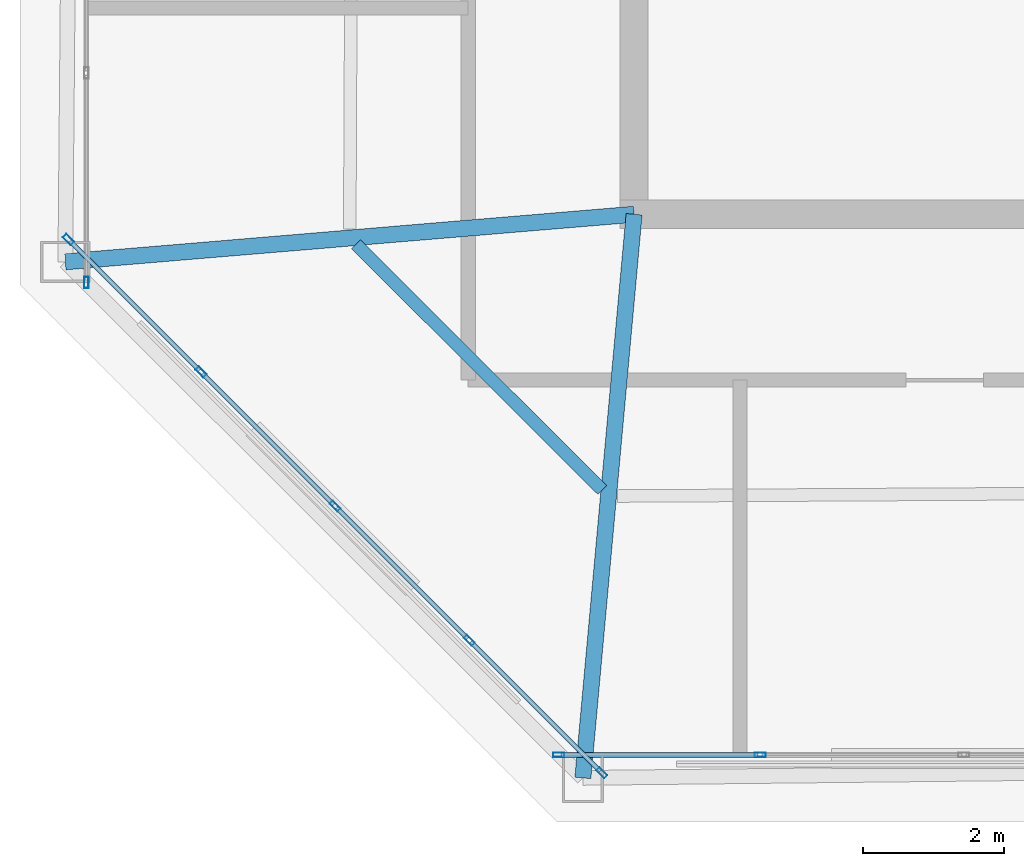
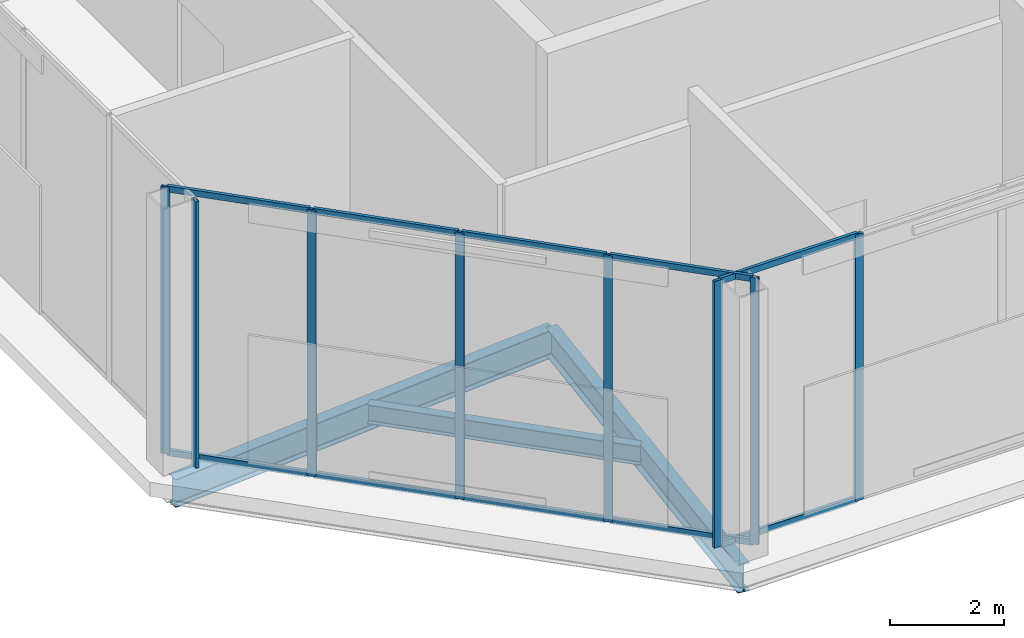
# One storey, part 2 of 20: 18 members, 3 beams, 3 elements without a shape of their own.
"""IFC4 building model written with IfcOpenShell, lengths in metres."""

from ifc_helpers import new_model, si_unit, direction, frame, origin, origin_2d, place, context, subcontext, project, spatial, hollow_rectangle, i_section, extrude, material, layer, layer_set, material_profile, profile_set, type_object, element, aggregate, save


model = new_model("IFC4")

# Units and contexts
model_context = context("Model", 3, precision=1e-05, world=origin(), true_north=direction((0.0, 1.0)))
body_context = subcontext(model_context, "Body", "Model", "MODEL_VIEW")
ifc_project = project(units=[si_unit("LENGTHUNIT", "METRE"), si_unit("AREAUNIT", "SQUARE_METRE"), si_unit("VOLUMEUNIT", "CUBIC_METRE"), si_unit("PLANEANGLEUNIT", "RADIAN"), si_unit("MASSUNIT", "GRAM", prefix="KILO")], contexts=[model_context])

# Site, building, storey
site_placement = place(None, origin())
site = spatial("IfcSite", under=ifc_project, at=site_placement, CompositionType="ELEMENT")
building_placement = place(site_placement, origin())
building = spatial("IfcBuilding", under=site, at=building_placement, Name="Caelvoria Tower", CompositionType="ELEMENT")
storey_placement = place(building_placement, frame((0.0, 0.0, 284.199951171875)))
storey = spatial("IfcBuildingStorey", under=building, at=storey_placement, Name="C1", CompositionType="ELEMENT", Elevation=284.199951171875)

# Curtain wall, members
ifc_material_1 = material(Name="Anodised Bronze Aluminium and Low-E Glass", Category="aluminium")
ifc_layer = layer(ifc_material_1, 0.179931640625, Name="Anodised Bronze Aluminium and Low-E Glass")
ifc_layer_set = layer_set([ifc_layer], Name="CW System 6 Slanted Crown Bronze Screen Facade - Anodised Bronze Aluminium and Low-E Glass")
curtain_wall_type = type_object("IfcCurtainWallType", Name="CW System 6 Slanted Crown Bronze Screen Facade", PredefinedType="NOTDEFINED", material=ifc_layer_set)
curtain_wall_1_placement = place(storey_placement, origin())
curtain_wall_1 = element("IfcCurtainWall", 1, at=curtain_wall_1_placement, inside=storey, type_object=curtain_wall_type, Name="CW-06 Curtain Wall C1-E0", PredefinedType="NOTDEFINED")
ifc_material_2 = material(Name="Anodised Bronze Architectural Aluminium", Category="aluminium")
ifc_material_profile_1 = material_profile(ifc_material_2, hollow_rectangle(XDim=0.06494140625, YDim=0.159912109375, WallThickness=0.00390625, at=origin_2d()), Name="Anodised Bronze Architectural Aluminium")
ifc_profile_set_1 = profile_set([ifc_material_profile_1], Name="CW_MULL_65X160 - Anodised Bronze Architectural Aluminium")
member_type_1 = type_object("IfcMemberType", Name="Curtain Wall Mullion 65x160 Bronze Aluminium", PredefinedType="MULLION", material=ifc_profile_set_1)
member_1_placement = place(storey_placement, frame((35.9326171875, 16.340087890625, 0.0), z_axis=(0.0, 0.0, 1.0), x_axis=(0.0, 1.0, 0.0)))
member_1 = element("IfcMember", 2, at=member_1_placement, type_object=member_type_1, Name="CW-06 mullion 1", PredefinedType="MULLION", context=body_context, shape_type="SweptSolid", body=[
    extrude(hollow_rectangle(XDim=0.06494140625, YDim=0.159912109375, WallThickness=0.00390625, at=origin_2d()), origin(), (0.0, 0.0, 1.0), 5.699951171875),
])
member_2_placement = place(storey_placement, frame((38.78564453125, 16.340087890625, 0.0), z_axis=(0.0, 0.0, 1.0), x_axis=(0.0, 1.0, 0.0)))
member_2 = element("IfcMember", 3, at=member_2_placement, type_object=member_type_1, Name="CW-06 mullion 2", PredefinedType="MULLION", context=body_context, shape_type="SweptSolid", body=[
    extrude(hollow_rectangle(XDim=0.06494140625, YDim=0.159912109375, WallThickness=0.00390625, at=origin_2d()), origin(), (0.0, 0.0, 1.0), 5.699951171875),
])

# Curtain wall, member
curtain_wall_2_placement = place(storey_placement, origin())
curtain_wall_2 = element("IfcCurtainWall", 4, at=curtain_wall_2_placement, inside=storey, type_object=curtain_wall_type, Name="CW-06 Curtain Wall C1-E6", PredefinedType="NOTDEFINED")
member_3_placement = place(storey_placement, frame((29.239990234375, 23.032470703125, 0.0), z_axis=(0.0, 0.0, 1.0), x_axis=(1.0, 0.0, 0.0)))
member_3 = element("IfcMember", 5, at=member_3_placement, type_object=member_type_1, Name="CW-06 mullion 7", PredefinedType="MULLION", context=body_context, shape_type="SweptSolid", body=[
    extrude(hollow_rectangle(XDim=0.06494140625, YDim=0.159912109375, WallThickness=0.00390625, at=origin_2d()), origin(), (0.0, 0.0, 1.0), 5.699951171875),
])
aggregate(curtain_wall_2, [member_3])

# Curtain wall, members
curtain_wall_3_placement = place(storey_placement, origin())
curtain_wall_3 = element("IfcCurtainWall", 6, at=curtain_wall_3_placement, inside=storey, type_object=curtain_wall_type, Name="CW-06 Curtain Wall C1-E7", PredefinedType="NOTDEFINED")
member_4_placement = place(storey_placement, frame((28.98779296875, 23.6416015625, 0.0), z_axis=(0.0, 0.0, 1.0), x_axis=(0.707106781187, 0.707106781187, 0.0)))
member_4 = element("IfcMember", 7, at=member_4_placement, type_object=member_type_1, Name="CW-06 mullion 1", PredefinedType="MULLION", context=body_context, shape_type="SweptSolid", body=[
    extrude(hollow_rectangle(XDim=0.06494140625, YDim=0.159912109375, WallThickness=0.00390625, at=origin_2d()), origin(), (0.0, 0.0, 1.0), 5.699951171875),
])
member_5_placement = place(storey_placement, frame((30.86474609375, 21.7646484375, 0.0), z_axis=(0.0, 0.0, 1.0), x_axis=(0.707106781187, 0.707106781187, 0.0)))
member_5 = element("IfcMember", 8, at=member_5_placement, type_object=member_type_1, Name="CW-06 mullion 2", PredefinedType="MULLION", context=body_context, shape_type="SweptSolid", body=[
    extrude(hollow_rectangle(XDim=0.06494140625, YDim=0.159912109375, WallThickness=0.00390625, at=origin_2d()), origin(), (0.0, 0.0, 1.0), 5.699951171875),
])
member_6_placement = place(storey_placement, frame((32.7646484375, 19.86474609375, 0.0), z_axis=(0.0, 0.0, 1.0), x_axis=(0.707106781187, 0.707106781187, 0.0)))
member_6 = element("IfcMember", 9, at=member_6_placement, type_object=member_type_1, Name="CW-06 mullion 3", PredefinedType="MULLION", context=body_context, shape_type="SweptSolid", body=[
    extrude(hollow_rectangle(XDim=0.06494140625, YDim=0.159912109375, WallThickness=0.00390625, at=origin_2d()), origin(), (0.0, 0.0, 1.0), 5.699951171875),
])
member_7_placement = place(storey_placement, frame((34.664794921875, 17.964599609375, 0.0), z_axis=(0.0, 0.0, 1.0), x_axis=(0.707106781187, 0.707106781187, 0.0)))
member_7 = element("IfcMember", 10, at=member_7_placement, type_object=member_type_1, Name="CW-06 mullion 4", PredefinedType="MULLION", context=body_context, shape_type="SweptSolid", body=[
    extrude(hollow_rectangle(XDim=0.06494140625, YDim=0.159912109375, WallThickness=0.00390625, at=origin_2d()), origin(), (0.0, 0.0, 1.0), 5.699951171875),
])
member_8_placement = place(storey_placement, frame((36.541748046875, 16.087646484375, 0.0), z_axis=(0.0, 0.0, 1.0), x_axis=(0.707106781187, 0.707106781187, 0.0)))
member_8 = element("IfcMember", 11, at=member_8_placement, type_object=member_type_1, Name="CW-06 mullion 5", PredefinedType="MULLION", context=body_context, shape_type="SweptSolid", body=[
    extrude(hollow_rectangle(XDim=0.06494140625, YDim=0.159912109375, WallThickness=0.00390625, at=origin_2d()), origin(), (0.0, 0.0, 1.0), 5.699951171875),
])

# Member
ifc_material_profile_2 = material_profile(ifc_material_2, hollow_rectangle(XDim=0.06494140625, YDim=0.1298828125, WallThickness=0.00341796875, at=origin_2d()), Name="Anodised Bronze Architectural Aluminium")
ifc_profile_set_2 = profile_set([ifc_material_profile_2], Name="CW_TRAN_65X130 - Anodised Bronze Architectural Aluminium")
member_type_2 = type_object("IfcMemberType", Name="Curtain Wall Transom 65x130 Bronze Aluminium", PredefinedType="USERDEFINED", material=ifc_profile_set_2)
member_9_placement = place(storey_placement, frame((35.965087890625, 16.340087890625, 0.032470703125), z_axis=(1.0, 0.0, 0.0), x_axis=(0.0, 1.0, 0.0)))
member_9 = element("IfcMember", 12, at=member_9_placement, type_object=member_type_2, Name="CW-06 transom 1.1", ObjectType="TRANSOM", PredefinedType="USERDEFINED", context=body_context, shape_type="SweptSolid", body=[
    extrude(hollow_rectangle(XDim=0.06494140625, YDim=0.1298828125, WallThickness=0.00341796875, at=origin_2d()), origin(), (0.0, 0.0, 1.0), 2.7880859375),
])

member_10_placement = place(storey_placement, frame((35.965087890625, 16.340087890625, 5.66748046875), z_axis=(1.0, 0.0, 0.0), x_axis=(0.0, 1.0, 0.0)))
member_10 = element("IfcMember", 13, at=member_10_placement, type_object=member_type_2, Name="CW-06 transom 1.2", ObjectType="TRANSOM", PredefinedType="USERDEFINED", context=body_context, shape_type="SweptSolid", body=[
    extrude(hollow_rectangle(XDim=0.06494140625, YDim=0.1298828125, WallThickness=0.00341796875, at=origin_2d()), origin(), (0.0, 0.0, 1.0), 2.7880859375),
])

aggregate(curtain_wall_1, [member_1, member_2, member_9, member_10])

member_11_placement = place(storey_placement, frame((29.0107421875, 23.61865234375, 0.032470703125), z_axis=(0.707106781187, -0.707106781187, 0.0), x_axis=(0.707106781187, 0.707106781187, 0.0)))
member_11 = element("IfcMember", 14, at=member_11_placement, type_object=member_type_2, Name="CW-06 transom 1.1", ObjectType="TRANSOM", PredefinedType="USERDEFINED", context=body_context, shape_type="SweptSolid", body=[
    extrude(hollow_rectangle(XDim=0.06494140625, YDim=0.1298828125, WallThickness=0.00341796875, at=origin_2d()), origin(), (0.0, 0.0, 1.0), 2.589599609375),
])

member_12_placement = place(storey_placement, frame((29.0107421875, 23.61865234375, 5.66748046875), z_axis=(0.707106781187, -0.707106781187, 0.0), x_axis=(0.707106781187, 0.707106781187, 0.0)))
member_12 = element("IfcMember", 15, at=member_12_placement, type_object=member_type_2, Name="CW-06 transom 1.2", ObjectType="TRANSOM", PredefinedType="USERDEFINED", context=body_context, shape_type="SweptSolid", body=[
    extrude(hollow_rectangle(XDim=0.06494140625, YDim=0.1298828125, WallThickness=0.00341796875, at=origin_2d()), origin(), (0.0, 0.0, 1.0), 2.589599609375),
])

member_13_placement = place(storey_placement, frame((30.8876953125, 21.74169921875, 0.032470703125), z_axis=(0.707106781187, -0.707106781187, 0.0), x_axis=(0.707106781187, 0.707106781187, 0.0)))
member_13 = element("IfcMember", 16, at=member_13_placement, type_object=member_type_2, Name="CW-06 transom 2.1", ObjectType="TRANSOM", PredefinedType="USERDEFINED", context=body_context, shape_type="SweptSolid", body=[
    extrude(hollow_rectangle(XDim=0.06494140625, YDim=0.1298828125, WallThickness=0.00341796875, at=origin_2d()), origin(), (0.0, 0.0, 1.0), 2.6220703125),
])

member_14_placement = place(storey_placement, frame((30.8876953125, 21.74169921875, 5.66748046875), z_axis=(0.707106781187, -0.707106781187, 0.0), x_axis=(0.707106781187, 0.707106781187, 0.0)))
member_14 = element("IfcMember", 17, at=member_14_placement, type_object=member_type_2, Name="CW-06 transom 2.2", ObjectType="TRANSOM", PredefinedType="USERDEFINED", context=body_context, shape_type="SweptSolid", body=[
    extrude(hollow_rectangle(XDim=0.06494140625, YDim=0.1298828125, WallThickness=0.00341796875, at=origin_2d()), origin(), (0.0, 0.0, 1.0), 2.6220703125),
])

member_15_placement = place(storey_placement, frame((32.78759765625, 19.841796875, 0.032470703125), z_axis=(0.707106781187, -0.707106781187, 0.0), x_axis=(0.707106781187, 0.707106781187, 0.0)))
member_15 = element("IfcMember", 18, at=member_15_placement, type_object=member_type_2, Name="CW-06 transom 3.1", ObjectType="TRANSOM", PredefinedType="USERDEFINED", context=body_context, shape_type="SweptSolid", body=[
    extrude(hollow_rectangle(XDim=0.06494140625, YDim=0.1298828125, WallThickness=0.00341796875, at=origin_2d()), origin(), (0.0, 0.0, 1.0), 2.6220703125),
])

member_16_placement = place(storey_placement, frame((32.78759765625, 19.841796875, 5.66748046875), z_axis=(0.707106781187, -0.707106781187, 0.0), x_axis=(0.707106781187, 0.707106781187, 0.0)))
member_16 = element("IfcMember", 19, at=member_16_placement, type_object=member_type_2, Name="CW-06 transom 3.2", ObjectType="TRANSOM", PredefinedType="USERDEFINED", context=body_context, shape_type="SweptSolid", body=[
    extrude(hollow_rectangle(XDim=0.06494140625, YDim=0.1298828125, WallThickness=0.00341796875, at=origin_2d()), origin(), (0.0, 0.0, 1.0), 2.6220703125),
])

member_17_placement = place(storey_placement, frame((34.687744140625, 17.941650390625, 0.032470703125), z_axis=(0.707106781187, -0.707106781187, 0.0), x_axis=(0.707106781187, 0.707106781187, 0.0)))
member_17 = element("IfcMember", 20, at=member_17_placement, type_object=member_type_2, Name="CW-06 transom 4.1", ObjectType="TRANSOM", PredefinedType="USERDEFINED", context=body_context, shape_type="SweptSolid", body=[
    extrude(hollow_rectangle(XDim=0.06494140625, YDim=0.1298828125, WallThickness=0.00341796875, at=origin_2d()), origin(), (0.0, 0.0, 1.0), 2.589599609375),
])

member_18_placement = place(storey_placement, frame((34.687744140625, 17.941650390625, 5.66748046875), z_axis=(0.707106781187, -0.707106781187, 0.0), x_axis=(0.707106781187, 0.707106781187, 0.0)))
member_18 = element("IfcMember", 21, at=member_18_placement, type_object=member_type_2, Name="CW-06 transom 4.2", ObjectType="TRANSOM", PredefinedType="USERDEFINED", context=body_context, shape_type="SweptSolid", body=[
    extrude(hollow_rectangle(XDim=0.06494140625, YDim=0.1298828125, WallThickness=0.00341796875, at=origin_2d()), origin(), (0.0, 0.0, 1.0), 2.589599609375),
])

aggregate(curtain_wall_3, [member_4, member_5, member_6, member_7, member_8, member_11, member_12, member_13, member_14, member_15, member_16, member_17, member_18])

# Beams
ifc_material_3 = material(Name="Structural Steel ASTM A992 Gr.50", Category="steel")
ifc_material_profile_3 = material_profile(ifc_material_3, i_section(OverallWidth=0.22802734375, OverallDepth=0.60302734375, WebThickness=0.010498046875, FlangeThickness=0.014892578125, FilletRadius=0.01806640625, at=origin_2d()), Name="Structural Steel ASTM A992 Gr.50")
ifc_profile_set_3 = profile_set([ifc_material_profile_3], Name="W610X101 - Structural Steel ASTM A992 Gr.50")
beam_type_1 = type_object("IfcBeamType", Name="Primary Floor Girder W610X101", PredefinedType="BEAM", material=ifc_profile_set_3)
beam_1_placement = place(storey_placement, frame((37.0, 24.0, -0.6015625), z_axis=(-0.090527509595, -0.995893955201, 0.0), x_axis=(0.995893955201, -0.090527509595, 0.0)))
element("IfcBeam", 22, at=beam_1_placement, inside=storey, type_object=beam_type_1, Name="Primary Floor Girder C1-00", PredefinedType="BEAM", context=body_context, shape_type="SweptSolid", body=[
    extrude(i_section(OverallWidth=0.22802734375, OverallDepth=0.60302734375, WebThickness=0.010498046875, FlangeThickness=0.014892578125, FilletRadius=0.01806640625, at=origin_2d()), origin(), (0.0, 0.0, 1.0), 8.017822265625),
])
beam_2_placement = place(storey_placement, frame((37.0, 24.0, -0.6015625), z_axis=(-0.996524486988, -0.083300341138, 0.0), x_axis=(0.083300341138, -0.996524486988, 0.0)))
element("IfcBeam", 23, at=beam_2_placement, inside=storey, type_object=beam_type_1, Name="Primary Floor Girder C1-11", PredefinedType="BEAM", context=body_context, shape_type="SweptSolid", body=[
    extrude(i_section(OverallWidth=0.22802734375, OverallDepth=0.60302734375, WebThickness=0.010498046875, FlangeThickness=0.014892578125, FilletRadius=0.01806640625, at=origin_2d()), origin(), (0.0, 0.0, 1.0), 8.086181640625),
])
ifc_material_profile_4 = material_profile(ifc_material_3, i_section(OverallWidth=0.177978515625, OverallDepth=0.406982421875, WebThickness=0.0078125, FlangeThickness=0.0126953125, FilletRadius=0.013916015625, at=origin_2d()), Name="Structural Steel ASTM A992 Gr.50")
ifc_profile_set_4 = profile_set([ifc_material_profile_4], Name="W410X60 - Structural Steel ASTM A992 Gr.50")
beam_type_2 = type_object("IfcBeamType", Name="Secondary Floor Beam W410X60", PredefinedType="BEAM", material=ifc_profile_set_4)
beam_3_placement = place(storey_placement, frame((33.059326171875, 23.574951171875, -0.50341796875), z_axis=(0.708146533194, -0.706065498042, 0.0), x_axis=(0.706065498042, 0.708146533194, 0.0)))
element("IfcBeam", 24, at=beam_3_placement, inside=storey, type_object=beam_type_2, Name="Secondary Floor Beam C1-11", PredefinedType="BEAM", context=body_context, shape_type="SweptSolid", body=[
    extrude(i_section(OverallWidth=0.177978515625, OverallDepth=0.406982421875, WebThickness=0.0078125, FlangeThickness=0.0126953125, FilletRadius=0.013916015625, at=origin_2d()), origin(), (0.0, 0.0, 1.0), 4.92724609375),
])

save(model, "model.ifc")
